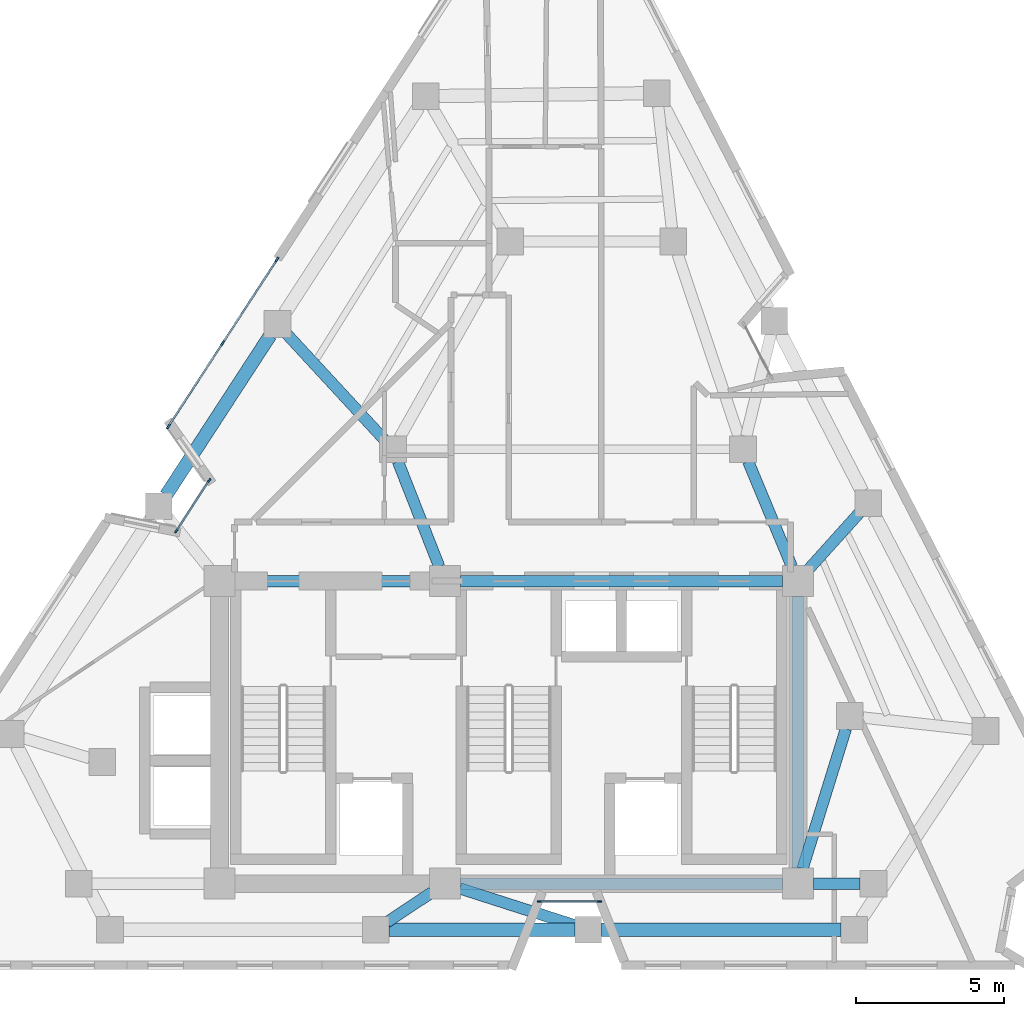
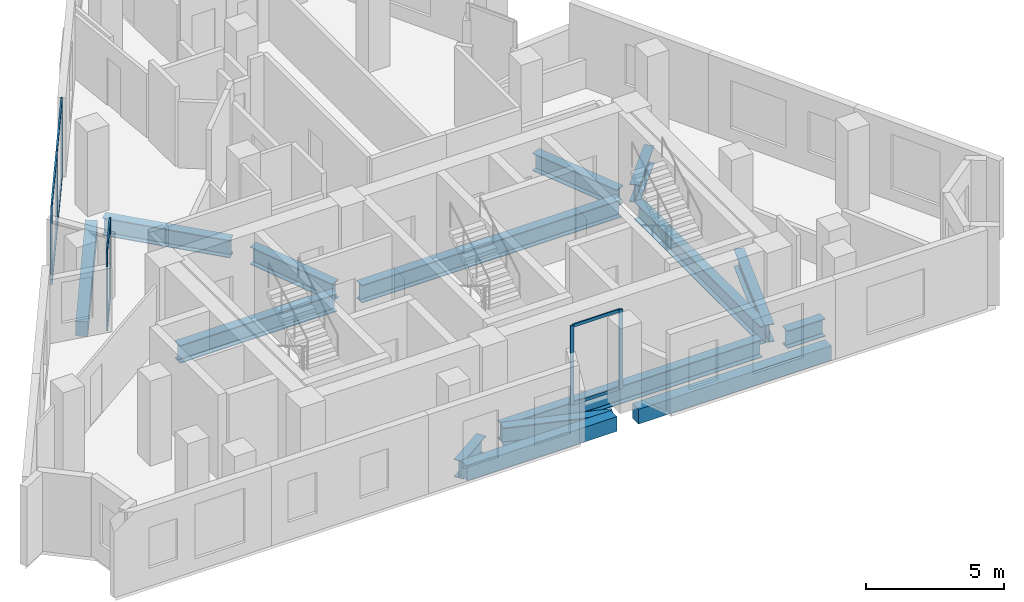
# One storey, part 2 of 9: 15 beams, 15 members, 3 elements without a shape of their own.
"""IFC4 building model written with IfcOpenShell, lengths in metres."""

from ifc_helpers import new_model, si_unit, direction, frame, origin, origin_2d, place, context, subcontext, project, spatial, rectangle, i_section, extrude, material, layer, layer_set, material_profile, profile_set, type_object, element, aggregate, save


model = new_model("IFC4")

# Units and contexts
model_context = context("Model", 3, precision=1e-05, world=origin(), true_north=direction((0.0, 1.0)))
body_context = subcontext(model_context, "Body", "Model", "MODEL_VIEW")
ifc_project = project(units=[si_unit("LENGTHUNIT", "METRE"), si_unit("AREAUNIT", "SQUARE_METRE"), si_unit("VOLUMEUNIT", "CUBIC_METRE"), si_unit("PLANEANGLEUNIT", "RADIAN"), si_unit("MASSUNIT", "GRAM", prefix="KILO")], contexts=[model_context])

# Site, building, storey
site_placement = place(None, origin())
site = spatial("IfcSite", under=ifc_project, at=site_placement, CompositionType="ELEMENT")
building_placement = place(site_placement, origin())
building = spatial("IfcBuilding", under=site, at=building_placement, Name="Almagre Mirador Tower", CompositionType="ELEMENT")
storey_placement = place(building_placement, frame((0.0, 0.0, 225.75)))
storey = spatial("IfcBuildingStorey", under=building, at=storey_placement, Name="L58", CompositionType="ELEMENT", Elevation=225.75)

# Beams
ifc_material_1 = material(Name="Precast concrete C50/60", Category="concrete")
ifc_material_profile_1 = material_profile(ifc_material_1, rectangle(XDim=0.449951171875, YDim=0.64990234375, at=origin_2d()), Name="RC450X650")
ifc_profile_set_1 = profile_set([ifc_material_profile_1], Name="Precast concrete C50/60")
beam_type_1 = type_object("IfcBeamType", Name="BM-SPN-RC450X650", PredefinedType="SPANDREL", material=ifc_profile_set_1)
beam_1_placement = place(storey_placement, frame((33.26611328125, 3.0, -0.574951171875), z_axis=(1.0, 0.0, 0.0), x_axis=(0.0, 1.0, 0.0)))
element("IfcBeam", 1, at=beam_1_placement, inside=storey, type_object=beam_type_1, Name="L58 perimeter spandrel beam PC02-PC03", PredefinedType="SPANDREL", context=body_context, shape_type="SweptSolid", body=[
    extrude(rectangle(XDim=0.449951171875, YDim=0.64990234375, at=origin_2d()), origin(), (0.0, 0.0, 1.0), 6.267822265625),
])
beam_2_placement = place(storey_placement, frame((40.43408203125, 3.0, -0.574951171875), z_axis=(1.0, 0.0, 0.0), x_axis=(0.0, 1.0, 0.0)))
element("IfcBeam", 2, at=beam_2_placement, inside=storey, type_object=beam_type_1, Name="L58 perimeter spandrel beam PC03-PC04", PredefinedType="SPANDREL", context=body_context, shape_type="SweptSolid", body=[
    extrude(rectangle(XDim=0.449951171875, YDim=0.64990234375, at=origin_2d()), origin(), (0.0, 0.0, 1.0), 8.059814453125),
])
beam_3_placement = place(storey_placement, frame((29.260498046875, 23.039794921875, -0.574951171875), z_axis=(-0.545617994426, -0.838034011337, 0.0), x_axis=(0.838034011337, -0.545617994426, 0.0)))
element("IfcBeam", 3, at=beam_3_placement, inside=storey, type_object=beam_type_1, Name="L58 perimeter spandrel beam PC10-PC11", PredefinedType="SPANDREL", context=body_context, shape_type="SweptSolid", body=[
    extrude(rectangle(XDim=0.449951171875, YDim=0.64990234375, at=origin_2d()), origin(), (0.0, 0.0, 1.0), 6.431396484375),
])
ifc_material_2 = material(Name="Steel ASTM A992 Grade 50", Category="steel")
ifc_material_profile_2 = material_profile(ifc_material_2, i_section(OverallWidth=0.384033203125, OverallDepth=0.784912109375, WebThickness=0.019775390625, FlangeThickness=0.033447265625, FilletRadius=0.02392578125, at=origin_2d()), Name="W30X211")
ifc_profile_set_2 = profile_set([ifc_material_profile_2], Name="Steel ASTM A992 Grade 50")
beam_type_2 = type_object("IfcBeamType", Name="BM-STL-W30X211", PredefinedType="BEAM", material=ifc_profile_set_2)
beam_4_placement = place(storey_placement, frame((35.675048828125, 4.550048828125, -0.642578125), z_axis=(1.0, 0.0, 0.0), x_axis=(0.0, 1.0, 0.0)))
element("IfcBeam", 4, at=beam_4_placement, inside=storey, type_object=beam_type_2, Name="L58 core tie girder CC2-CC3", PredefinedType="BEAM", context=body_context, shape_type="SweptSolid", body=[
    extrude(i_section(OverallWidth=0.384033203125, OverallDepth=0.784912109375, WebThickness=0.019775390625, FlangeThickness=0.033447265625, FilletRadius=0.02392578125, at=origin_2d()), origin(), (0.0, 0.0, 1.0), 10.849853515625),
])
beam_5_placement = place(storey_placement, frame((28.074951171875, 14.75, -0.642578125), z_axis=(1.0, 0.0, 0.0), x_axis=(0.0, 1.0, 0.0)))
element("IfcBeam", 5, at=beam_5_placement, inside=storey, type_object=beam_type_2, Name="L58 core tie girder CC4-CC5", PredefinedType="BEAM", context=body_context, shape_type="SweptSolid", body=[
    extrude(i_section(OverallWidth=0.384033203125, OverallDepth=0.784912109375, WebThickness=0.019775390625, FlangeThickness=0.033447265625, FilletRadius=0.02392578125, at=origin_2d()), origin(), (0.0, 0.0, 1.0), 6.550048828125),
])
beam_6_placement = place(storey_placement, frame((35.675048828125, 14.75, -0.642578125), z_axis=(1.0, 0.0, 0.0), x_axis=(0.0, 1.0, 0.0)))
element("IfcBeam", 6, at=beam_6_placement, inside=storey, type_object=beam_type_2, Name="L58 core tie girder CC5-CC6", PredefinedType="BEAM", context=body_context, shape_type="SweptSolid", body=[
    extrude(i_section(OverallWidth=0.384033203125, OverallDepth=0.784912109375, WebThickness=0.019775390625, FlangeThickness=0.033447265625, FilletRadius=0.02392578125, at=origin_2d()), origin(), (0.0, 0.0, 1.0), 10.849853515625),
])
beam_7_placement = place(storey_placement, frame((47.050048828125, 5.074951171875, -0.642578125), z_axis=(0.0, 1.0, 0.0), x_axis=(-1.0, 0.0, 0.0)))
element("IfcBeam", 7, at=beam_7_placement, inside=storey, type_object=beam_type_2, Name="L58 core tie girder CC3-CC6", PredefinedType="BEAM", context=body_context, shape_type="SweptSolid", body=[
    extrude(i_section(OverallWidth=0.384033203125, OverallDepth=0.784912109375, WebThickness=0.019775390625, FlangeThickness=0.033447265625, FilletRadius=0.02392578125, at=origin_2d()), origin(), (0.0, 0.0, 1.0), 9.150146484375),
])
beam_8_placement = place(storey_placement, frame((49.14990234375, 4.550048828125, -0.642578125), z_axis=(-1.0, 0.0, 0.0), x_axis=(0.0, -1.0, 0.0)))
element("IfcBeam", 8, at=beam_8_placement, inside=storey, type_object=beam_type_2, Name="L58 core tie girder MC2-CC3", PredefinedType="BEAM", context=body_context, shape_type="SweptSolid", body=[
    extrude(i_section(OverallWidth=0.384033203125, OverallDepth=0.784912109375, WebThickness=0.019775390625, FlangeThickness=0.033447265625, FilletRadius=0.02392578125, at=origin_2d()), origin(), (0.0, 0.0, 1.0), 1.574951171875),
])
beam_9_placement = place(storey_placement, frame((48.6669921875, 9.77001953125, -0.642578125), z_axis=(-0.295901717967, -0.955218390372, 0.0), x_axis=(0.955218390372, -0.295901717967, 0.0)))
element("IfcBeam", 9, at=beam_9_placement, inside=storey, type_object=beam_type_2, Name="L58 core tie girder MC3-CC3", PredefinedType="BEAM", context=body_context, shape_type="SweptSolid", body=[
    extrude(i_section(OverallWidth=0.384033203125, OverallDepth=0.784912109375, WebThickness=0.019775390625, FlangeThickness=0.033447265625, FilletRadius=0.02392578125, at=origin_2d()), origin(), (0.0, 0.0, 1.0), 4.939697265625),
])
beam_10_placement = place(storey_placement, frame((45.372802734375, 18.784423828125, -0.642578125), z_axis=(0.383862140668, -0.923390414159, 0.0), x_axis=(0.923390414159, 0.383862140668, 0.0)))
element("IfcBeam", 10, at=beam_10_placement, inside=storey, type_object=beam_type_2, Name="L58 core tie girder MC5-CC6", PredefinedType="BEAM", context=body_context, shape_type="SweptSolid", body=[
    extrude(i_section(OverallWidth=0.384033203125, OverallDepth=0.784912109375, WebThickness=0.019775390625, FlangeThickness=0.033447265625, FilletRadius=0.02392578125, at=origin_2d()), origin(), (0.0, 0.0, 1.0), 3.843994140625),
])
beam_11_placement = place(storey_placement, frame((33.564697265625, 18.78125, -0.642578125), z_axis=(0.365999579355, -0.93061501595, 0.0), x_axis=(0.93061501595, 0.365999579355, 0.0)))
element("IfcBeam", 11, at=beam_11_placement, inside=storey, type_object=beam_type_2, Name="L58 core tie girder MC8-CC5", PredefinedType="BEAM", context=body_context, shape_type="SweptSolid", body=[
    extrude(i_section(OverallWidth=0.384033203125, OverallDepth=0.784912109375, WebThickness=0.019775390625, FlangeThickness=0.033447265625, FilletRadius=0.02392578125, at=origin_2d()), origin(), (0.0, 0.0, 1.0), 3.806884765625),
])
beam_12_placement = place(storey_placement, frame((33.19091796875, 3.248779296875, -0.642578125), z_axis=(0.832994863914, 0.553280721419, 0.0), x_axis=(-0.553280721419, 0.832994863914, 0.0)))
element("IfcBeam", 12, at=beam_12_placement, inside=storey, type_object=beam_type_2, Name="L58 radial floor girder PC02-CC2", PredefinedType="BEAM", context=body_context, shape_type="SweptSolid", body=[
    extrude(i_section(OverallWidth=0.384033203125, OverallDepth=0.784912109375, WebThickness=0.019775390625, FlangeThickness=0.033447265625, FilletRadius=0.02392578125, at=origin_2d()), origin(), (0.0, 0.0, 1.0), 1.826904296875),
])
beam_13_placement = place(storey_placement, frame((39.555419921875, 3.137451171875, -0.642578125), z_axis=(-0.952251894345, 0.305313494161, 0.0), x_axis=(-0.305313494161, -0.952251894345, 0.0)))
element("IfcBeam", 13, at=beam_13_placement, inside=storey, type_object=beam_type_2, Name="L58 radial floor girder PC03-CC2", PredefinedType="BEAM", context=body_context, shape_type="SweptSolid", body=[
    extrude(i_section(OverallWidth=0.384033203125, OverallDepth=0.784912109375, WebThickness=0.019775390625, FlangeThickness=0.033447265625, FilletRadius=0.02392578125, at=origin_2d()), origin(), (0.0, 0.0, 1.0), 4.101318359375),
])
beam_14_placement = place(storey_placement, frame((49.11572265625, 17.043701171875, -0.642578125), z_axis=(-0.66921216439, -0.743071382192, 0.0), x_axis=(0.743071382192, -0.66921216439, 0.0)))
element("IfcBeam", 14, at=beam_14_placement, inside=storey, type_object=beam_type_2, Name="L58 radial floor girder PC06-CC6", PredefinedType="BEAM", context=body_context, shape_type="SweptSolid", body=[
    extrude(i_section(OverallWidth=0.384033203125, OverallDepth=0.784912109375, WebThickness=0.019775390625, FlangeThickness=0.033447265625, FilletRadius=0.02392578125, at=origin_2d()), origin(), (0.0, 0.0, 1.0), 2.561767578125),
])
beam_15_placement = place(storey_placement, frame((29.811279296875, 23.08642578125, -0.642578125), z_axis=(0.678399511669, -0.734693203023, 0.0), x_axis=(0.734693203023, 0.678399511669, 0.0)))
element("IfcBeam", 15, at=beam_15_placement, inside=storey, type_object=beam_type_2, Name="L58 radial floor girder PC10-MC8", PredefinedType="BEAM", context=body_context, shape_type="SweptSolid", body=[
    extrude(i_section(OverallWidth=0.384033203125, OverallDepth=0.784912109375, WebThickness=0.019775390625, FlangeThickness=0.033447265625, FilletRadius=0.02392578125, at=origin_2d()), origin(), (0.0, 0.0, 1.0), 4.840087890625),
])

# Curtain wall, members
ifc_material_3 = material(Name="Black anodized aluminium", Category="aluminium")
ifc_layer_1 = layer(ifc_material_3, 0.169921875)
ifc_layer_set_1 = layer_set([ifc_layer_1], Name="Black anodized aluminium")
curtain_wall_type_1 = type_object("IfcCurtainWallType", Name="CW-CRS-SYS", PredefinedType="NOTDEFINED", material=ifc_layer_set_1)
curtain_wall_1_placement = place(storey_placement, origin())
curtain_wall_1 = element("IfcCurtainWall", 16, at=curtain_wall_1_placement, inside=storey, type_object=curtain_wall_type_1, Name="L58 vertical crease curtain wall 01", PredefinedType="NOTDEFINED")
ifc_material_4 = material(Name="Black anodized aluminium", Category="aluminium")
ifc_material_profile_3 = material_profile(ifc_material_4, rectangle(XDim=0.06005859375, YDim=0.14990234375, at=origin_2d()), Name="CWM60X150")
ifc_profile_set_3 = profile_set([ifc_material_profile_3], Name="Black anodized aluminium")
member_type_1 = type_object("IfcMemberType", Name="MBR-CWM60X150", PredefinedType="MULLION", material=ifc_profile_set_3)
member_1_placement = place(storey_placement, frame((26.097412109375, 16.441162109375, 0.0), z_axis=(0.0, 0.0, 1.0), x_axis=(-0.838038799313, 0.545610640334, 0.0)))
member_1 = element("IfcMember", 17, at=member_1_placement, type_object=member_type_1, Name="CW-4 mullion 1", PredefinedType="MULLION", context=body_context, shape_type="SweptSolid", body=[
    extrude(rectangle(XDim=0.06005859375, YDim=0.14990234375, at=origin_2d()), origin(), (0.0, 0.0, 1.0), 3.5),
])
member_2_placement = place(storey_placement, frame((27.20458984375, 18.141845703125, 0.0), z_axis=(0.0, 0.0, 1.0), x_axis=(-0.838038799313, 0.545610640334, 0.0)))
member_2 = element("IfcMember", 18, at=member_2_placement, type_object=member_type_1, Name="CW-4 mullion 2", PredefinedType="MULLION", context=body_context, shape_type="SweptSolid", body=[
    extrude(rectangle(XDim=0.06005859375, YDim=0.14990234375, at=origin_2d()), origin(), (0.0, 0.0, 1.0), 3.5),
])

curtain_wall_2_placement = place(storey_placement, origin())
curtain_wall_2 = element("IfcCurtainWall", 19, at=curtain_wall_2_placement, inside=storey, type_object=curtain_wall_type_1, Name="L58 vertical crease curtain wall 04", PredefinedType="NOTDEFINED")
member_3_placement = place(storey_placement, frame((40.35888671875, 3.949951171875, 0.0), z_axis=(0.0, 0.0, 1.0), x_axis=(0.0, -1.0, 0.0)))
member_3 = element("IfcMember", 20, at=member_3_placement, type_object=member_type_1, Name="CW-4 mullion 1", PredefinedType="MULLION", context=body_context, shape_type="SweptSolid", body=[
    extrude(rectangle(XDim=0.06005859375, YDim=0.14990234375, at=origin_2d()), origin(), (0.0, 0.0, 1.0), 3.5),
])
member_4_placement = place(storey_placement, frame((38.3291015625, 3.949951171875, 0.0), z_axis=(0.0, 0.0, 1.0), x_axis=(0.0, -1.0, 0.0)))
member_4 = element("IfcMember", 21, at=member_4_placement, type_object=member_type_1, Name="CW-4 mullion 2", PredefinedType="MULLION", context=body_context, shape_type="SweptSolid", body=[
    extrude(rectangle(XDim=0.06005859375, YDim=0.14990234375, at=origin_2d()), origin(), (0.0, 0.0, 1.0), 3.5),
])

ifc_material_5 = material(Name="Black anodized aluminium", Category="aluminium")
ifc_layer_2 = layer(ifc_material_5, 0.199951171875)
ifc_layer_set_2 = layer_set([ifc_layer_2], Name="Black anodized aluminium")
curtain_wall_type_2 = type_object("IfcCurtainWallType", Name="CW-RES-H-SYS", PredefinedType="NOTDEFINED", material=ifc_layer_set_2)
curtain_wall_3_placement = place(storey_placement, origin())
curtain_wall_3 = element("IfcCurtainWall", 22, at=curtain_wall_3_placement, inside=storey, type_object=curtain_wall_type_2, Name="L58 curtain wall run 02", PredefinedType="NOTDEFINED")
ifc_material_6 = material(Name="Black anodized aluminium", Category="aluminium")
ifc_material_profile_4 = material_profile(ifc_material_6, rectangle(XDim=0.06494140625, YDim=0.179931640625, at=origin_2d()), Name="CWM65X180")
ifc_profile_set_4 = profile_set([ifc_material_profile_4], Name="Black anodized aluminium")
member_type_2 = type_object("IfcMemberType", Name="MBR-CWM65X180", PredefinedType="MULLION", material=ifc_profile_set_4)
member_5_placement = place(storey_placement, frame((25.827392578125, 19.967041015625, 0.0), z_axis=(0.0, 0.0, 1.0), x_axis=(-0.838037183621, 0.545613121972, 0.0)))
member_5 = element("IfcMember", 23, at=member_5_placement, type_object=member_type_2, Name="CW-3 mullion 1", PredefinedType="MULLION", context=body_context, shape_type="SweptSolid", body=[
    extrude(rectangle(XDim=0.06494140625, YDim=0.179931640625, at=origin_2d()), origin(), (0.0, 0.0, 1.0), 3.5),
])
member_6_placement = place(storey_placement, frame((27.656982421875, 22.77734375, 0.0), z_axis=(0.0, 0.0, 1.0), x_axis=(-0.838037183621, 0.545613121972, 0.0)))
member_6 = element("IfcMember", 24, at=member_6_placement, type_object=member_type_2, Name="CW-3 mullion 2", PredefinedType="MULLION", context=body_context, shape_type="SweptSolid", body=[
    extrude(rectangle(XDim=0.06494140625, YDim=0.179931640625, at=origin_2d()), origin(), (0.0, 0.0, 1.0), 3.5),
])
member_7_placement = place(storey_placement, frame((29.48681640625, 25.587646484375, 0.0), z_axis=(0.0, 0.0, 1.0), x_axis=(-0.838037183621, 0.545613121972, 0.0)))
member_7 = element("IfcMember", 25, at=member_7_placement, type_object=member_type_2, Name="CW-3 mullion 3", PredefinedType="MULLION", context=body_context, shape_type="SweptSolid", body=[
    extrude(rectangle(XDim=0.06494140625, YDim=0.179931640625, at=origin_2d()), origin(), (0.0, 0.0, 1.0), 3.5),
])

# Member
ifc_material_7 = material(Name="Black anodized aluminium", Category="aluminium")
ifc_material_profile_5 = material_profile(ifc_material_7, rectangle(XDim=0.06005859375, YDim=0.1298828125, at=origin_2d()), Name="CWT60X130")
ifc_profile_set_5 = profile_set([ifc_material_profile_5], Name="Black anodized aluminium")
member_type_3 = type_object("IfcMemberType", Name="MBR-CWT60X130", PredefinedType="USERDEFINED", material=ifc_profile_set_5)
member_8_placement = place(storey_placement, frame((26.11376953125, 16.46630859375, 0.030029296875), z_axis=(0.545598259062, 0.838046860091, 0.0), x_axis=(-0.838046860091, 0.545598259062, 0.0)))
member_8 = element("IfcMember", 26, at=member_8_placement, type_object=member_type_3, Name="CW-4 transom 1.1", ObjectType="TRANSOM", PredefinedType="USERDEFINED", context=body_context, shape_type="SweptSolid", body=[
    extrude(rectangle(XDim=0.06005859375, YDim=0.1298828125, at=origin_2d()), origin(), (0.0, 0.0, 1.0), 1.96923828125),
])

member_9_placement = place(storey_placement, frame((26.11376953125, 16.46630859375, 3.469970703125), z_axis=(0.545598259062, 0.838046860091, 0.0), x_axis=(-0.838046860091, 0.545598259062, 0.0)))
member_9 = element("IfcMember", 27, at=member_9_placement, type_object=member_type_3, Name="CW-4 transom 1.2", ObjectType="TRANSOM", PredefinedType="USERDEFINED", context=body_context, shape_type="SweptSolid", body=[
    extrude(rectangle(XDim=0.06005859375, YDim=0.1298828125, at=origin_2d()), origin(), (0.0, 0.0, 1.0), 1.96923828125),
])

aggregate(curtain_wall_1, [member_1, member_2, member_8, member_9])

member_10_placement = place(storey_placement, frame((40.3291015625, 3.949951171875, 0.030029296875), z_axis=(-1.0, 0.0, 0.0), x_axis=(0.0, -1.0, 0.0)))
member_10 = element("IfcMember", 28, at=member_10_placement, type_object=member_type_3, Name="CW-4 transom 1.1", ObjectType="TRANSOM", PredefinedType="USERDEFINED", context=body_context, shape_type="SweptSolid", body=[
    extrude(rectangle(XDim=0.06005859375, YDim=0.1298828125, at=origin_2d()), origin(), (0.0, 0.0, 1.0), 1.97021484375),
])

member_11_placement = place(storey_placement, frame((40.3291015625, 3.949951171875, 3.469970703125), z_axis=(-1.0, 0.0, 0.0), x_axis=(0.0, -1.0, 0.0)))
member_11 = element("IfcMember", 29, at=member_11_placement, type_object=member_type_3, Name="CW-4 transom 1.2", ObjectType="TRANSOM", PredefinedType="USERDEFINED", context=body_context, shape_type="SweptSolid", body=[
    extrude(rectangle(XDim=0.06005859375, YDim=0.1298828125, at=origin_2d()), origin(), (0.0, 0.0, 1.0), 1.97021484375),
])

aggregate(curtain_wall_2, [member_3, member_4, member_10, member_11])

ifc_material_8 = material(Name="Black anodized aluminium", Category="aluminium")
ifc_material_profile_6 = material_profile(ifc_material_8, rectangle(XDim=0.06494140625, YDim=0.14990234375, at=origin_2d()), Name="CWT65X150")
ifc_profile_set_6 = profile_set([ifc_material_profile_6], Name="Black anodized aluminium")
member_type_4 = type_object("IfcMemberType", Name="MBR-CWT65X150", PredefinedType="USERDEFINED", material=ifc_profile_set_6)
member_12_placement = place(storey_placement, frame((25.844970703125, 19.994140625, 0.032470703125), z_axis=(0.545656197592, 0.838009137199, 0.0), x_axis=(-0.838009137199, 0.545656197592, 0.0)))
member_12 = element("IfcMember", 30, at=member_12_placement, type_object=member_type_4, Name="CW-3 transom 1.1", ObjectType="TRANSOM", PredefinedType="USERDEFINED", context=body_context, shape_type="SweptSolid", body=[
    extrude(rectangle(XDim=0.06494140625, YDim=0.14990234375, at=origin_2d()), origin(), (0.0, 0.0, 1.0), 3.28857421875),
])

member_13_placement = place(storey_placement, frame((25.844970703125, 19.994140625, 3.467529296875), z_axis=(0.545656197592, 0.838009137199, 0.0), x_axis=(-0.838009137199, 0.545656197592, 0.0)))
member_13 = element("IfcMember", 31, at=member_13_placement, type_object=member_type_4, Name="CW-3 transom 1.2", ObjectType="TRANSOM", PredefinedType="USERDEFINED", context=body_context, shape_type="SweptSolid", body=[
    extrude(rectangle(XDim=0.06494140625, YDim=0.14990234375, at=origin_2d()), origin(), (0.0, 0.0, 1.0), 3.28857421875),
])

member_14_placement = place(storey_placement, frame((27.6748046875, 22.804443359375, 0.032470703125), z_axis=(0.545570114737, 0.838065182373, 0.0), x_axis=(-0.838065182373, 0.545570114737, 0.0)))
member_14 = element("IfcMember", 32, at=member_14_placement, type_object=member_type_4, Name="CW-3 transom 2.1", ObjectType="TRANSOM", PredefinedType="USERDEFINED", context=body_context, shape_type="SweptSolid", body=[
    extrude(rectangle(XDim=0.06494140625, YDim=0.14990234375, at=origin_2d()), origin(), (0.0, 0.0, 1.0), 3.28857421875),
])

member_15_placement = place(storey_placement, frame((27.6748046875, 22.804443359375, 3.467529296875), z_axis=(0.545570114737, 0.838065182373, 0.0), x_axis=(-0.838065182373, 0.545570114737, 0.0)))
member_15 = element("IfcMember", 33, at=member_15_placement, type_object=member_type_4, Name="CW-3 transom 2.2", ObjectType="TRANSOM", PredefinedType="USERDEFINED", context=body_context, shape_type="SweptSolid", body=[
    extrude(rectangle(XDim=0.06494140625, YDim=0.14990234375, at=origin_2d()), origin(), (0.0, 0.0, 1.0), 3.28857421875),
])

aggregate(curtain_wall_3, [member_5, member_6, member_7, member_12, member_13, member_14, member_15])

save(model, "model.ifc")
